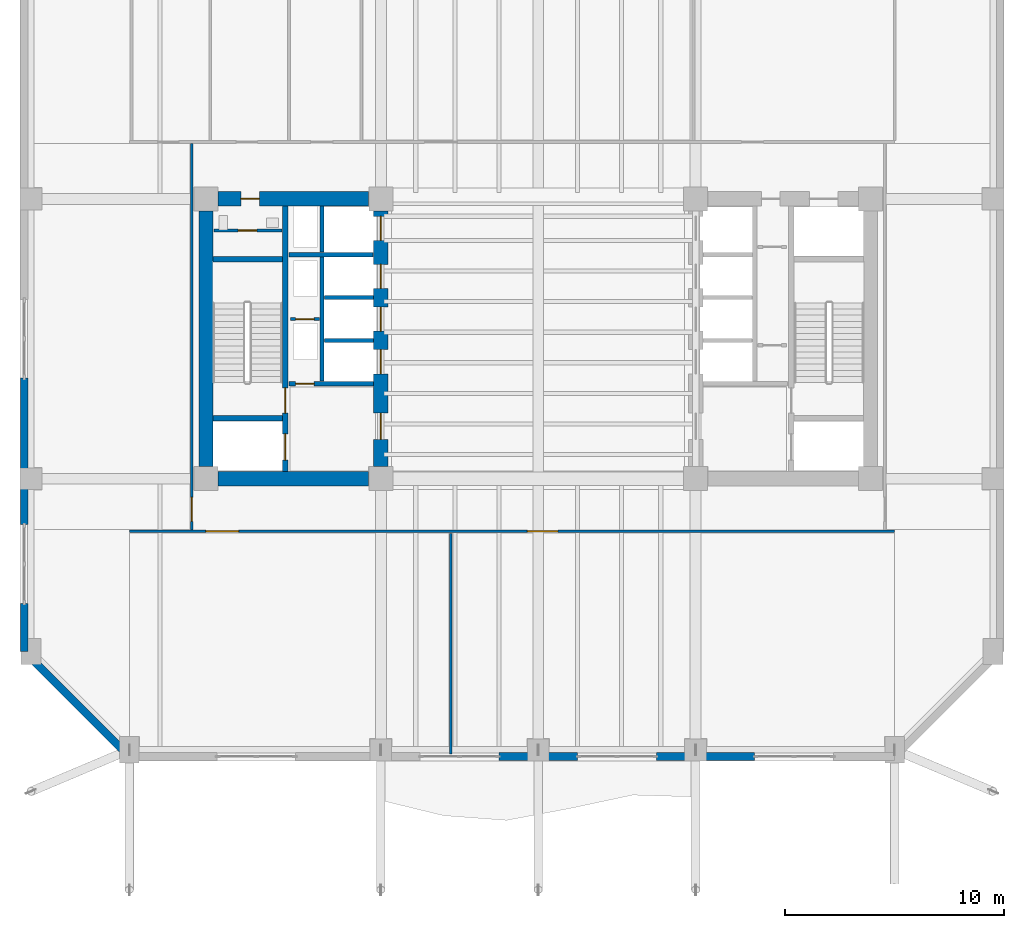
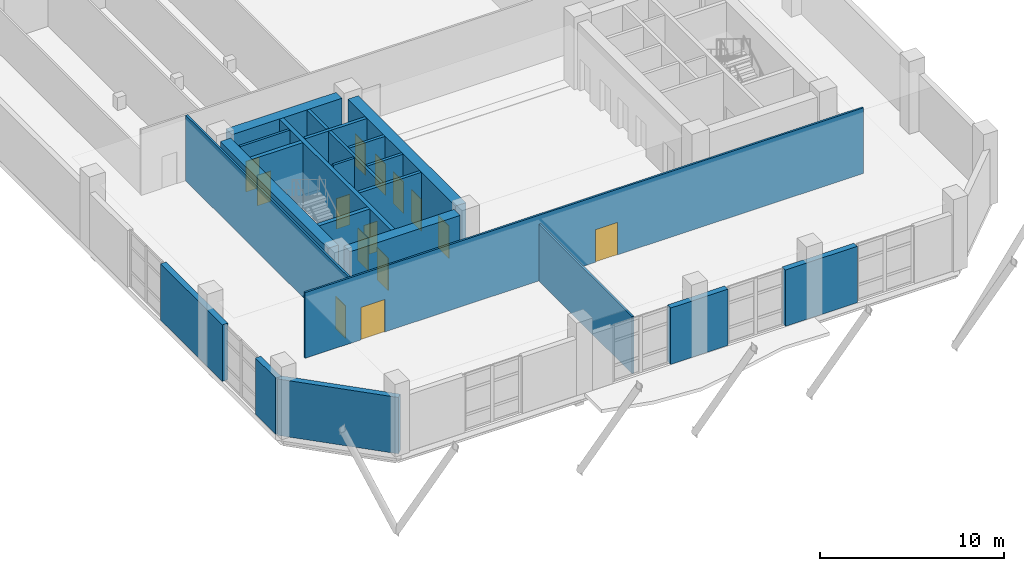
# One storey, part 9 of 16: 23 walls, 14 doors, 14 openings.
"""IFC4 building model written with IfcOpenShell, lengths in metres."""

from ifc_helpers import new_model, si_unit, direction, frame, frame_2d, origin, place, context, subcontext, project, spatial, rectangle, extrude, material, layer, layer_set, type_object, element, fill, save


model = new_model("IFC4")

# Units and contexts
model_context = context("Model", 3, precision=1e-05, world=origin(), true_north=direction((0.0, 1.0)))
body_context = subcontext(model_context, "Body", "Model", "MODEL_VIEW")
ifc_project = project(units=[si_unit("LENGTHUNIT", "METRE"), si_unit("AREAUNIT", "SQUARE_METRE"), si_unit("VOLUMEUNIT", "CUBIC_METRE"), si_unit("PLANEANGLEUNIT", "RADIAN"), si_unit("MASSUNIT", "GRAM", prefix="KILO")], contexts=[model_context])

# Site, building, storey
site_placement = place(None, origin())
site = spatial("IfcSite", under=ifc_project, at=site_placement, CompositionType="ELEMENT")
building_placement = place(site_placement, origin())
building = spatial("IfcBuilding", under=site, at=building_placement, Name="Kranthara Brick Stack", CompositionType="ELEMENT")
storey_placement = place(building_placement, frame((0.0, 0.0, 115.5)))
storey = spatial("IfcBuildingStorey", under=building, at=storey_placement, Name="L28", CompositionType="ELEMENT", Elevation=115.5)

# Walls
ifc_material_1 = material(Name="Kiln-fired clay brick masonry M15", Category="masonry")
ifc_layer_1 = layer(ifc_material_1, 0.35009765625)
ifc_layer_set_1 = layer_set([ifc_layer_1], Name="Kiln-fired clay brick masonry M15")
wall_type_1 = type_object("IfcWallType", Name="WL-BRK-SPND-350", PredefinedType="STANDARD", material=ifc_layer_set_1)
wall_1_placement = place(storey_placement, frame((37.89990234375, 8.094970703125, 0.0), z_axis=(0.0, 0.0, 1.0), x_axis=(-1.0, 0.0, 0.0)))
element("IfcWall", 1, at=wall_1_placement, inside=storey, type_object=wall_type_1, Name="L28 Exterior Brick Facade Wall SOUTH 2", PredefinedType="STANDARD", context=body_context, shape_type="SweptSolid", body=[
    extrude(rectangle(XDim=4.5, YDim=0.35009765625, at=frame_2d((2.25, 0.0))), origin(), (0.0, 0.0, 1.0), 3.735107421875),
])
wall_2_placement = place(storey_placement, frame((29.800048828125, 8.094970703125, 0.0), z_axis=(0.0, 0.0, 1.0), x_axis=(-1.0, 0.0, 0.0)))
element("IfcWall", 2, at=wall_2_placement, inside=storey, type_object=wall_type_1, Name="L28 Exterior Brick Facade Wall SOUTH 3", PredefinedType="STANDARD", context=body_context, shape_type="SweptSolid", body=[
    extrude(rectangle(XDim=3.60009765625, YDim=0.35009765625, at=frame_2d((1.800048828125, 0.0))), origin(), (0.0, 0.0, 1.0), 3.735107421875),
])
wall_3_placement = place(storey_placement, frame((9.300048828125, 8.094970703125, 0.0), z_axis=(0.0, 0.0, 1.0), x_axis=(-0.707106781187, 0.707106781187, 0.0)))
element("IfcWall", 3, at=wall_3_placement, inside=storey, type_object=wall_type_1, Name="L28 Exterior Brick Facade Wall SW 1", PredefinedType="STANDARD", context=body_context, shape_type="SweptSolid", body=[
    extrude(rectangle(XDim=6.795166015625, YDim=0.35009765625, at=frame_2d((3.3974609375, 0.0))), origin(), (0.0, 0.0, 1.0), 3.735107421875),
])
wall_4_placement = place(storey_placement, frame((4.4951171875, 12.89990234375, 0.0), z_axis=(0.0, 0.0, 1.0), x_axis=(0.0, 1.0, 0.0)))
element("IfcWall", 4, at=wall_4_placement, inside=storey, type_object=wall_type_1, Name="L28 Exterior Brick Facade Wall WEST 1", PredefinedType="STANDARD", context=body_context, shape_type="SweptSolid", body=[
    extrude(rectangle(XDim=2.2001953125, YDim=0.35009765625, at=frame_2d((1.10009765625, 0.0))), origin(), (0.0, 0.0, 1.0), 3.735107421875),
])
wall_5_placement = place(storey_placement, frame((4.4951171875, 18.699951171875, 0.0), z_axis=(0.0, 0.0, 1.0), x_axis=(0.0, 1.0, 0.0)))
element("IfcWall", 5, at=wall_5_placement, inside=storey, type_object=wall_type_1, Name="L28 Exterior Brick Facade Wall WEST 2", PredefinedType="STANDARD", context=body_context, shape_type="SweptSolid", body=[
    extrude(rectangle(XDim=6.699951171875, YDim=0.35009765625, at=frame_2d((3.35009765625, 0.0))), origin(), (0.0, 0.0, 1.0), 3.735107421875),
])

# Wall, openings, doors
ifc_material_2 = material(Name="Concrete C50/60", Category="concrete")
ifc_layer_2 = layer(ifc_material_2, 0.25)
ifc_layer_set_2 = layer_set([ifc_layer_2], Name="Concrete C50/60")
wall_type_2 = type_object("IfcWallType", Name="WL-CORE-250", PredefinedType="SHEAR", material=ifc_layer_set_2)
wall_6_placement = place(storey_placement, frame((16.43505859375, 21.135009765625, 0.0), z_axis=(0.0, 0.0, 1.0), x_axis=(0.0, 1.0, 0.0)))
wall_6 = element("IfcWall", 6, at=wall_6_placement, inside=storey, type_object=wall_type_2, Name="L28 West Core Stair Bearing Spine Wall", PredefinedType="SHEAR", context=body_context, shape_type="SweptSolid", body=[
    extrude(rectangle(XDim=12.1298828125, YDim=0.25, at=frame_2d((6.06494140625, 0.0))), origin(), (0.0, 0.0, 1.0), 4.35009765625),
])
opening_1_placement = place(wall_6_placement, frame((0.514892578125, 0.0, 0.0)))
opening_1 = element("IfcOpeningElement", 7, at=opening_1_placement, cuts=wall_6, Name="Opening LD01", PredefinedType="OPENING", context=body_context, shape_type="SweptSolid", body=[
    extrude(rectangle(XDim=1.199951171875, YDim=2.14990234375, at=frame_2d((0.60009765625, 1.074951171875))), frame((0.0, 0.135009765625, 0.0), z_axis=(0.0, -1.0, 0.0), x_axis=(1.0, 0.0, 0.0)), (0.0, 0.0, 1.0), 0.27001953125),
])
opening_2_placement = place(wall_6_placement, frame((2.6650390625, 0.0, 0.0)))
opening_2 = element("IfcOpeningElement", 8, at=opening_2_placement, cuts=wall_6, Name="Opening D05", PredefinedType="OPENING", context=body_context, shape_type="SweptSolid", body=[
    extrude(rectangle(XDim=1.14990234375, YDim=2.14990234375, at=frame_2d((0.574951171875, 1.074951171875))), frame((0.0, 0.135009765625, 0.0), z_axis=(0.0, -1.0, 0.0), x_axis=(1.0, 0.0, 0.0)), (0.0, 0.0, 1.0), 0.27001953125),
])
ifc_material_3 = material(Name="Stainless steel sliding landing door", Category="steel")
door_type_1 = type_object("IfcDoorType", Name="DR-LD-FF1200", OperationType="DOUBLE_DOOR_SLIDING", PredefinedType="DOOR", material=ifc_material_3)
door_1_placement = place(opening_1_placement, origin())
door_1 = element("IfcDoor", 9, at=door_1_placement, inside=storey, type_object=door_type_1, Name="L28 Firefighting Lift FF-01 Landing Door", OperationType="DOUBLE_DOOR_SLIDING", OverallHeight=2.14990234375, OverallWidth=1.199951171875, PredefinedType="DOOR", context=body_context, shape_type="SweptSolid", body=[
    extrude(rectangle(XDim=1.199951171875, YDim=2.14990234375, at=frame_2d((0.60009765625, 1.074951171875))), frame((0.0, 0.02490234375, 0.0), z_axis=(0.0, -1.0, 0.0), x_axis=(1.0, 0.0, 0.0)), (0.0, 0.0, 1.0), 0.050048828125),
])
fill(opening_1, door_1)
ifc_material_4 = material(Name="Solid-core hardwood timber leaf in steel frame", Category="steel")
door_type_2 = type_object("IfcDoorType", Name="DR-ST-1150", OperationType="NOTDEFINED", PredefinedType="DOOR", material=ifc_material_4)
door_2_placement = place(opening_2_placement, origin())
door_2 = element("IfcDoor", 10, at=door_2_placement, inside=storey, type_object=door_type_2, Name="L28 Exit Stair ST01 Door", OperationType="SINGLE_SWING_RIGHT", OverallHeight=2.14990234375, OverallWidth=1.14990234375, PredefinedType="DOOR", context=body_context, shape_type="SweptSolid", body=[
    extrude(rectangle(XDim=1.14990234375, YDim=2.14990234375, at=frame_2d((0.574951171875, 1.074951171875))), frame((0.0, 0.02490234375, 0.0), z_axis=(0.0, -1.0, 0.0), x_axis=(1.0, 0.0, 0.0)), (0.0, 0.0, 1.0), 0.050048828125),
])
fill(opening_2, door_2)

# Walls
for number, where, z_axis, x_axis, name in (
    (11, (13.135009765625, 23.570068359375, 0.0), (0.0, 0.0, 1.0), (1.0, 0.0, 0.0), "L28 West Stairwell Bearing Wall WFF"),
    (12, (13.135009765625, 30.830078125, 0.0), (0.0, 0.0, 1.0), (1.0, 0.0, 0.0), "L28 West Stairwell Bearing Wall WST"),
):
    element("IfcWall", number, at=place(storey_placement, frame(where, z_axis=z_axis, x_axis=x_axis)), inside=storey, type_object=wall_type_2, Name=name, PredefinedType="SHEAR", context=body_context, shape_type="SweptSolid", body=[
        extrude(rectangle(XDim=3.175048828125, YDim=0.25, at=frame_2d((1.58740234375, 0.0))), origin(), (0.0, 0.0, 1.0), 4.35009765625),
    ])
ifc_material_5 = material(Name="Concrete C60/75", Category="concrete")
ifc_layer_3 = layer(ifc_material_5, 0.64990234375)
ifc_layer_set_3 = layer_set([ifc_layer_3], Name="Concrete C60/75")
wall_type_3 = type_object("IfcWallType", Name="WL-CORE-650", PredefinedType="SHEAR", material=ifc_layer_set_3)
wall_7_placement = place(storey_placement, frame((12.800048828125, 21.35498046875, 0.0), z_axis=(0.0, 0.0, 1.0), x_axis=(0.0, 1.0, 0.0)))
element("IfcWall", 13, at=wall_7_placement, inside=storey, type_object=wall_type_3, Name="L28 West Core Shear Wall West", PredefinedType="SHEAR", context=body_context, shape_type="SweptSolid", body=[
    extrude(rectangle(XDim=11.68994140625, YDim=0.64990234375, at=frame_2d((5.844970703125, 0.0))), origin(), (0.0, 0.0, 1.0), 4.35009765625),
])
wall_8_placement = place(storey_placement, frame((13.35498046875, 20.800048828125, 0.0), z_axis=(0.0, 0.0, 1.0), x_axis=(1.0, 0.0, 0.0)))
element("IfcWall", 14, at=wall_8_placement, inside=storey, type_object=wall_type_3, Name="L28 West Core Shear Wall South", PredefinedType="SHEAR", context=body_context, shape_type="SweptSolid", body=[
    extrude(rectangle(XDim=6.89013671875, YDim=0.64990234375, at=frame_2d((3.445068359375, 0.0))), origin(), (0.0, 0.0, 1.0), 4.35009765625),
])

# Wall, opening, door
wall_9_placement = place(storey_placement, frame((13.35498046875, 33.60009765625, 0.0), z_axis=(0.0, 0.0, 1.0), x_axis=(1.0, 0.0, 0.0)))
wall_9 = element("IfcWall", 15, at=wall_9_placement, inside=storey, type_object=wall_type_3, Name="L28 West Core Shear Wall North", PredefinedType="SHEAR", context=body_context, shape_type="SweptSolid", body=[
    extrude(rectangle(XDim=6.89013671875, YDim=0.64990234375, at=frame_2d((3.445068359375, 0.0))), origin(), (0.0, 0.0, 1.0), 4.35009765625),
])
opening_3_placement = place(wall_9_placement, frame((1.044921875, 0.0, 0.0)))
opening_3 = element("IfcOpeningElement", 16, at=opening_3_placement, cuts=wall_9, Name="Opening D10", PredefinedType="OPENING", context=body_context, shape_type="SweptSolid", body=[
    extrude(rectangle(XDim=0.85009765625, YDim=2.02001953125, at=frame_2d((0.425048828125, 1.010009765625))), frame((0.0, 0.3349609375, 0.0), z_axis=(0.0, -1.0, 0.0), x_axis=(1.0, 0.0, 0.0)), (0.0, 0.0, 1.0), 0.669921875),
])
ifc_material_6 = material(Name="Solid-core hardwood timber leaf in steel frame", Category="steel")
door_type_3 = type_object("IfcDoorType", Name="DR-RSR-850", OperationType="NOTDEFINED", PredefinedType="DOOR", material=ifc_material_6)
door_3_placement = place(opening_3_placement, origin())
door_3 = element("IfcDoor", 17, at=door_3_placement, inside=storey, type_object=door_type_3, Name="L28 West Core Service Door 1", OperationType="SINGLE_SWING_LEFT", OverallHeight=2.02001953125, OverallWidth=0.85009765625, PredefinedType="DOOR", context=body_context, shape_type="SweptSolid", body=[
    extrude(rectangle(XDim=0.85009765625, YDim=2.02001953125, at=frame_2d((0.425048828125, 1.010009765625))), frame((0.0, 0.02490234375, 0.0), z_axis=(0.0, -1.0, 0.0), x_axis=(1.0, 0.0, 0.0)), (0.0, 0.0, 1.0), 0.050048828125),
])
fill(opening_3, door_3)

# Wall, openings, doors
wall_10_placement = place(storey_placement, frame((20.800048828125, 21.35498046875, 0.0), z_axis=(0.0, 0.0, 1.0), x_axis=(0.0, 1.0, 0.0)))
wall_10 = element("IfcWall", 18, at=wall_10_placement, inside=storey, type_object=wall_type_3, Name="L28 West Core Shear Wall East", PredefinedType="SHEAR", context=body_context, shape_type="SweptSolid", body=[
    extrude(rectangle(XDim=11.68994140625, YDim=0.64990234375, at=frame_2d((5.844970703125, 0.0))), origin(), (0.0, 0.0, 1.0), 4.35009765625),
])
opening_4_placement = place(wall_10_placement, frame((1.2451171875, 0.0, 0.0)))
opening_4 = element("IfcOpeningElement", 19, at=opening_4_placement, cuts=wall_10, Name="Opening D06", PredefinedType="OPENING", context=body_context, shape_type="SweptSolid", body=[
    extrude(rectangle(XDim=1.199951171875, YDim=2.14990234375, at=frame_2d((0.60009765625, 1.074951171875))), frame((0.0, 0.3349609375, 0.0), z_axis=(0.0, -1.0, 0.0), x_axis=(1.0, 0.0, 0.0)), (0.0, 0.0, 1.0), 0.669921875),
])
opening_5_placement = place(wall_10_placement, frame((4.2451171875, 0.0, 0.0)))
opening_5 = element("IfcOpeningElement", 20, at=opening_5_placement, cuts=wall_10, Name="Opening LD02", PredefinedType="OPENING", context=body_context, shape_type="SweptSolid", body=[
    extrude(rectangle(XDim=1.10009765625, YDim=2.10009765625, at=frame_2d((0.550048828125, 1.050048828125))), frame((0.0, 0.3349609375, 0.0), z_axis=(0.0, -1.0, 0.0), x_axis=(1.0, 0.0, 0.0)), (0.0, 0.0, 1.0), 0.669921875),
])
opening_6_placement = place(wall_10_placement, frame((6.195068359375, 0.0, 0.0)))
opening_6 = element("IfcOpeningElement", 21, at=opening_6_placement, cuts=wall_10, Name="Opening LD02", PredefinedType="OPENING", context=body_context, shape_type="SweptSolid", body=[
    extrude(rectangle(XDim=1.10009765625, YDim=2.10009765625, at=frame_2d((0.550048828125, 1.050048828125))), frame((0.0, 0.3349609375, 0.0), z_axis=(0.0, -1.0, 0.0), x_axis=(1.0, 0.0, 0.0)), (0.0, 0.0, 1.0), 0.669921875),
])
opening_7_placement = place(wall_10_placement, frame((8.14501953125, 0.0, 0.0)))
opening_7 = element("IfcOpeningElement", 22, at=opening_7_placement, cuts=wall_10, Name="Opening LD02", PredefinedType="OPENING", context=body_context, shape_type="SweptSolid", body=[
    extrude(rectangle(XDim=1.10009765625, YDim=2.10009765625, at=frame_2d((0.550048828125, 1.050048828125))), frame((0.0, 0.3349609375, 0.0), z_axis=(0.0, -1.0, 0.0), x_axis=(1.0, 0.0, 0.0)), (0.0, 0.0, 1.0), 0.669921875),
])
opening_8_placement = place(wall_10_placement, frame((10.344970703125, 0.0, 0.0)))
opening_8 = element("IfcOpeningElement", 23, at=opening_8_placement, cuts=wall_10, Name="Opening LD02", PredefinedType="OPENING", context=body_context, shape_type="SweptSolid", body=[
    extrude(rectangle(XDim=1.10009765625, YDim=2.10009765625, at=frame_2d((0.550048828125, 1.050048828125))), frame((0.0, 0.3349609375, 0.0), z_axis=(0.0, -1.0, 0.0), x_axis=(1.0, 0.0, 0.0)), (0.0, 0.0, 1.0), 0.669921875),
])
ifc_material_7 = material(Name="Solid-core hardwood timber leaf in steel frame", Category="steel")
door_type_4 = type_object("IfcDoorType", Name="DR-FFL-1200", OperationType="NOTDEFINED", PredefinedType="DOOR", material=ifc_material_7)
door_4_placement = place(opening_4_placement, origin())
door_4 = element("IfcDoor", 24, at=door_4_placement, inside=storey, type_object=door_type_4, Name="L28 West Firefighting Lobby Door", OperationType="SINGLE_SWING_LEFT", OverallHeight=2.14990234375, OverallWidth=1.199951171875, PredefinedType="DOOR", context=body_context, shape_type="SweptSolid", body=[
    extrude(rectangle(XDim=1.199951171875, YDim=2.14990234375, at=frame_2d((0.60009765625, 1.074951171875))), frame((0.0, 0.02490234375, 0.0), z_axis=(0.0, -1.0, 0.0), x_axis=(1.0, 0.0, 0.0)), (0.0, 0.0, 1.0), 0.050048828125),
])
fill(opening_4, door_4)
ifc_material_8 = material(Name="Stainless steel sliding landing door", Category="steel")
door_type_5 = type_object("IfcDoorType", Name="DR-LD-PL1100", OperationType="DOUBLE_DOOR_SLIDING", PredefinedType="DOOR", material=ifc_material_8)
door_5_placement = place(opening_5_placement, origin())
door_5 = element("IfcDoor", 25, at=door_5_placement, inside=storey, type_object=door_type_5, Name="L28 PL-01 Lift Landing Door", OperationType="DOUBLE_DOOR_SLIDING", OverallHeight=2.10009765625, OverallWidth=1.10009765625, PredefinedType="DOOR", context=body_context, shape_type="SweptSolid", body=[
    extrude(rectangle(XDim=1.10009765625, YDim=2.10009765625, at=frame_2d((0.550048828125, 1.050048828125))), frame((0.0, 0.02490234375, 0.0), z_axis=(0.0, -1.0, 0.0), x_axis=(1.0, 0.0, 0.0)), (0.0, 0.0, 1.0), 0.050048828125),
])
fill(opening_5, door_5)
door_6_placement = place(opening_6_placement, origin())
door_6 = element("IfcDoor", 26, at=door_6_placement, inside=storey, type_object=door_type_5, Name="L28 PL-02 Lift Landing Door", OperationType="DOUBLE_DOOR_SLIDING", OverallHeight=2.10009765625, OverallWidth=1.10009765625, PredefinedType="DOOR", context=body_context, shape_type="SweptSolid", body=[
    extrude(rectangle(XDim=1.10009765625, YDim=2.10009765625, at=frame_2d((0.550048828125, 1.050048828125))), frame((0.0, 0.02490234375, 0.0), z_axis=(0.0, -1.0, 0.0), x_axis=(1.0, 0.0, 0.0)), (0.0, 0.0, 1.0), 0.050048828125),
])
fill(opening_6, door_6)
door_7_placement = place(opening_7_placement, origin())
door_7 = element("IfcDoor", 27, at=door_7_placement, inside=storey, type_object=door_type_5, Name="L28 PL-03 Lift Landing Door", OperationType="DOUBLE_DOOR_SLIDING", OverallHeight=2.10009765625, OverallWidth=1.10009765625, PredefinedType="DOOR", context=body_context, shape_type="SweptSolid", body=[
    extrude(rectangle(XDim=1.10009765625, YDim=2.10009765625, at=frame_2d((0.550048828125, 1.050048828125))), frame((0.0, 0.02490234375, 0.0), z_axis=(0.0, -1.0, 0.0), x_axis=(1.0, 0.0, 0.0)), (0.0, 0.0, 1.0), 0.050048828125),
])
fill(opening_7, door_7)
door_8_placement = place(opening_8_placement, origin())
door_8 = element("IfcDoor", 28, at=door_8_placement, inside=storey, type_object=door_type_5, Name="L28 PL-07 Lift Landing Door", OperationType="DOUBLE_DOOR_SLIDING", OverallHeight=2.10009765625, OverallWidth=1.10009765625, PredefinedType="DOOR", context=body_context, shape_type="SweptSolid", body=[
    extrude(rectangle(XDim=1.10009765625, YDim=2.10009765625, at=frame_2d((0.550048828125, 1.050048828125))), frame((0.0, 0.02490234375, 0.0), z_axis=(0.0, -1.0, 0.0), x_axis=(1.0, 0.0, 0.0)), (0.0, 0.0, 1.0), 0.050048828125),
])
fill(opening_8, door_8)

ifc_material_9 = material(Name="Acoustic gypsum plasterboard partition", Category="other")
ifc_layer_4 = layer(ifc_material_9, 0.1201171875)
ifc_layer_set_4 = layer_set([ifc_layer_4], Name="Acoustic gypsum plasterboard partition")
wall_type_4 = type_object("IfcWallType", Name="WL-PART-120", PredefinedType="PARTITIONING", material=ifc_layer_set_4)
wall_11_placement = place(storey_placement, frame((9.300048828125, 18.39990234375, 0.0), z_axis=(0.0, 0.0, 1.0), x_axis=(1.0, 0.0, 0.0)))
wall_11 = element("IfcWall", 29, at=wall_11_placement, inside=storey, type_object=wall_type_4, Name="L28 Interior Partition 005", PredefinedType="PARTITIONING", context=body_context, shape_type="SweptSolid", body=[
    extrude(rectangle(XDim=35.0, YDim=0.1201171875, at=frame_2d((17.5, 0.0))), origin(), (0.0, 0.0, 1.0), 4.35009765625),
])
opening_9_placement = place(wall_11_placement, frame((3.5, 0.0, 0.0)))
opening_9 = element("IfcOpeningElement", 30, at=opening_9_placement, cuts=wall_11, Name="Opening D20", PredefinedType="OPENING", context=body_context, shape_type="SweptSolid", body=[
    extrude(rectangle(XDim=1.5, YDim=2.14990234375, at=frame_2d((0.75, 1.074951171875))), frame((0.0, 0.070068359375, 0.0), z_axis=(0.0, -1.0, 0.0), x_axis=(1.0, 0.0, 0.0)), (0.0, 0.0, 1.0), 0.14013671875),
])
opening_10_placement = place(wall_11_placement, frame((18.199951171875, 0.0, 0.0)))
opening_10 = element("IfcOpeningElement", 31, at=opening_10_placement, cuts=wall_11, Name="Opening D23", PredefinedType="OPENING", context=body_context, shape_type="SweptSolid", body=[
    extrude(rectangle(XDim=1.39990234375, YDim=2.14990234375, at=frame_2d((0.699951171875, 1.074951171875))), frame((0.0, 0.070068359375, 0.0), z_axis=(0.0, -1.0, 0.0), x_axis=(1.0, 0.0, 0.0)), (0.0, 0.0, 1.0), 0.14013671875),
])
ifc_material_10 = material(Name="Solid-core hardwood timber leaf in steel frame", Category="steel")
door_type_6 = type_object("IfcDoorType", Name="DR-DBL-1400U", OperationType="DOUBLE_DOOR_SINGLE_SWING", PredefinedType="DOOR", material=ifc_material_10)
door_9_placement = place(opening_10_placement, origin())
door_9 = element("IfcDoor", 32, at=door_9_placement, inside=storey, type_object=door_type_6, Name="L28 Sky Lounge Door 06", OperationType="DOUBLE_DOOR_SINGLE_SWING", OverallHeight=2.14990234375, OverallWidth=1.39990234375, PredefinedType="DOOR", context=body_context, shape_type="SweptSolid", body=[
    extrude(rectangle(XDim=1.39990234375, YDim=2.14990234375, at=frame_2d((0.699951171875, 1.074951171875))), frame((0.0, 0.02490234375, 0.0), z_axis=(0.0, -1.0, 0.0), x_axis=(1.0, 0.0, 0.0)), (0.0, 0.0, 1.0), 0.050048828125),
])
fill(opening_10, door_9)
ifc_material_11 = material(Name="Solid-core hardwood timber leaf in steel frame", Category="steel")
door_type_7 = type_object("IfcDoorType", Name="DR-DBL-1500", OperationType="DOUBLE_DOOR_SINGLE_SWING", PredefinedType="DOOR", material=ifc_material_11)
door_10_placement = place(opening_9_placement, origin())
door_10 = element("IfcDoor", 33, at=door_10_placement, inside=storey, type_object=door_type_7, Name="L28 Sky Brasserie Door 05", OperationType="DOUBLE_DOOR_SINGLE_SWING", OverallHeight=2.14990234375, OverallWidth=1.5, PredefinedType="DOOR", context=body_context, shape_type="SweptSolid", body=[
    extrude(rectangle(XDim=1.5, YDim=2.14990234375, at=frame_2d((0.75, 1.074951171875))), frame((0.0, 0.02490234375, 0.0), z_axis=(0.0, -1.0, 0.0), x_axis=(1.0, 0.0, 0.0)), (0.0, 0.0, 1.0), 0.050048828125),
])
fill(opening_9, door_10)

# Wall
wall_12_placement = place(storey_placement, frame((24.0, 8.2099609375, 0.0), z_axis=(0.0, 0.0, 1.0), x_axis=(0.0, 1.0, 0.0)))
element("IfcWall", 34, at=wall_12_placement, inside=storey, type_object=wall_type_4, Name="L28 Interior Partition 007", PredefinedType="PARTITIONING", context=body_context, shape_type="SweptSolid", body=[
    extrude(rectangle(XDim=10.090087890625, YDim=0.1201171875, at=frame_2d((5.044921875, 0.0))), origin(), (0.0, 0.0, 1.0), 3.784912109375),
])

# Wall, opening, door
wall_13_placement = place(storey_placement, frame((12.14990234375, 18.465087890625, 0.0), z_axis=(0.0, 0.0, 1.0), x_axis=(0.0, 1.0, 0.0)))
wall_13 = element("IfcWall", 35, at=wall_13_placement, inside=storey, type_object=wall_type_4, Name="L28 Interior Partition 014", PredefinedType="PARTITIONING", context=body_context, shape_type="SweptSolid", body=[
    extrude(rectangle(XDim=17.669921875, YDim=0.1201171875, at=frame_2d((8.8349609375, 0.0))), origin(), (0.0, 0.0, 1.0), 4.35009765625),
])
opening_11_placement = place(wall_13_placement, frame((0.385009765625, 0.0, 0.0)))
opening_11 = element("IfcOpeningElement", 36, at=opening_11_placement, cuts=wall_13, Name="Opening D11", PredefinedType="OPENING", context=body_context, shape_type="SweptSolid", body=[
    extrude(rectangle(XDim=1.10009765625, YDim=2.14990234375, at=frame_2d((0.550048828125, 1.074951171875))), frame((0.0, 0.070068359375, 0.0), z_axis=(0.0, -1.0, 0.0), x_axis=(1.0, 0.0, 0.0)), (0.0, 0.0, 1.0), 0.14013671875),
])
ifc_material_12 = material(Name="Solid-core hardwood timber leaf in steel frame", Category="steel")
door_type_8 = type_object("IfcDoorType", Name="DR-INT-1100", OperationType="NOTDEFINED", PredefinedType="DOOR", material=ifc_material_12)
door_11_placement = place(opening_11_placement, origin())
door_11 = element("IfcDoor", 37, at=door_11_placement, inside=storey, type_object=door_type_8, Name="L28 West Concierge Door 12", OperationType="SINGLE_SWING_RIGHT", OverallHeight=2.14990234375, OverallWidth=1.10009765625, PredefinedType="DOOR", context=body_context, shape_type="SweptSolid", body=[
    extrude(rectangle(XDim=1.10009765625, YDim=2.14990234375, at=frame_2d((0.550048828125, 1.074951171875))), frame((0.0, 0.02490234375, 0.0), z_axis=(0.0, -1.0, 0.0), x_axis=(1.0, 0.0, 0.0)), (0.0, 0.0, 1.0), 0.050048828125),
])
fill(opening_11, door_11)

ifc_material_13 = material(Name="Fire-rated gypsum board partition", Category="other")
ifc_layer_5 = layer(ifc_material_13, 0.14990234375)
ifc_layer_set_5 = layer_set([ifc_layer_5], Name="Fire-rated gypsum board partition")
wall_type_5 = type_object("IfcWallType", Name="WL-PART-150", PredefinedType="PARTITIONING", material=ifc_layer_set_5)
wall_14_placement = place(storey_placement, frame((13.179931640625, 32.14990234375, 0.0), z_axis=(0.0, 0.0, 1.0), x_axis=(1.0, 0.0, 0.0)))
wall_14 = element("IfcWall", 38, at=wall_14_placement, inside=storey, type_object=wall_type_5, Name="L28 Interior Partition 001", PredefinedType="PARTITIONING", context=body_context, shape_type="SweptSolid", body=[
    extrude(rectangle(XDim=3.10009765625, YDim=0.14990234375, at=frame_2d((1.550048828125, 0.0))), origin(), (0.0, 0.0, 1.0), 4.35009765625),
])
opening_12_placement = place(wall_14_placement, frame((1.10009765625, 0.0, 0.0)))
opening_12 = element("IfcOpeningElement", 39, at=opening_12_placement, cuts=wall_14, Name="Opening D10", PredefinedType="OPENING", context=body_context, shape_type="SweptSolid", body=[
    extrude(rectangle(XDim=0.85009765625, YDim=2.02001953125, at=frame_2d((0.425048828125, 1.010009765625))), frame((0.0, 0.0849609375, 0.0), z_axis=(0.0, -1.0, 0.0), x_axis=(1.0, 0.0, 0.0)), (0.0, 0.0, 1.0), 0.169921875),
])
door_12_placement = place(opening_12_placement, origin())
door_12 = element("IfcDoor", 40, at=door_12_placement, inside=storey, type_object=door_type_3, Name="L28 West Inner Riser Door 01", OperationType="SINGLE_SWING_LEFT", OverallHeight=2.02001953125, OverallWidth=0.85009765625, PredefinedType="DOOR", context=body_context, shape_type="SweptSolid", body=[
    extrude(rectangle(XDim=0.85009765625, YDim=2.02001953125, at=frame_2d((0.425048828125, 1.010009765625))), frame((0.0, 0.02490234375, 0.0), z_axis=(0.0, -1.0, 0.0), x_axis=(1.0, 0.0, 0.0)), (0.0, 0.0, 1.0), 0.050048828125),
])
fill(opening_12, door_12)

wall_15_placement = place(storey_placement, frame((16.679931640625, 28.10009765625, 0.0), z_axis=(0.0, 0.0, 1.0), x_axis=(1.0, 0.0, 0.0)))
wall_15 = element("IfcWall", 41, at=wall_15_placement, inside=storey, type_object=wall_type_5, Name="L28 Interior Partition 004", PredefinedType="PARTITIONING", context=body_context, shape_type="SweptSolid", body=[
    extrude(rectangle(XDim=1.320068359375, YDim=0.14990234375, at=frame_2d((0.66015625, 0.0))), origin(), (0.0, 0.0, 1.0), 4.35009765625),
])
opening_13_placement = place(wall_15_placement, frame((0.219970703125, 0.0, 0.0)))
opening_13 = element("IfcOpeningElement", 42, at=opening_13_placement, cuts=wall_15, Name="Opening D10", PredefinedType="OPENING", context=body_context, shape_type="SweptSolid", body=[
    extrude(rectangle(XDim=0.85009765625, YDim=2.02001953125, at=frame_2d((0.425048828125, 1.010009765625))), frame((0.0, 0.0849609375, 0.0), z_axis=(0.0, -1.0, 0.0), x_axis=(1.0, 0.0, 0.0)), (0.0, 0.0, 1.0), 0.169921875),
])
door_13_placement = place(opening_13_placement, origin())
door_13 = element("IfcDoor", 43, at=door_13_placement, inside=storey, type_object=door_type_3, Name="L28 Riser Split Door 04", OperationType="SINGLE_SWING_RIGHT", OverallHeight=2.02001953125, OverallWidth=0.85009765625, PredefinedType="DOOR", context=body_context, shape_type="SweptSolid", body=[
    extrude(rectangle(XDim=0.85009765625, YDim=2.02001953125, at=frame_2d((0.425048828125, 1.010009765625))), frame((0.0, 0.02490234375, 0.0), z_axis=(0.0, -1.0, 0.0), x_axis=(1.0, 0.0, 0.0)), (0.0, 0.0, 1.0), 0.050048828125),
])
fill(opening_13, door_13)

# Walls
ifc_material_14 = material(Name="Gypsum plasterboard on acoustic twin stud", Category="other")
ifc_layer_6 = layer(ifc_material_14, 0.179931640625)
ifc_layer_set_6 = layer_set([ifc_layer_6], Name="Gypsum plasterboard on acoustic twin stud")
wall_type_6 = type_object("IfcWallType", Name="WL-PART-180", PredefinedType="PARTITIONING", material=ifc_layer_set_6)
wall_16_placement = place(storey_placement, frame((18.1201171875, 25.27001953125, 0.0), z_axis=(0.0, 0.0, 1.0), x_axis=(0.0, 1.0, 0.0)))
element("IfcWall", 44, at=wall_16_placement, inside=storey, type_object=wall_type_6, Name="L28 West Hoistway Wall WBK", PredefinedType="PARTITIONING", context=body_context, shape_type="SweptSolid", body=[
    extrude(rectangle(XDim=5.659912109375, YDim=0.179931640625, at=frame_2d((2.830078125, 0.0))), origin(), (0.0, 0.0, 1.0), 4.35009765625),
])
wall_17_placement = place(storey_placement, frame((18.1201171875, 31.169921875, 0.0), z_axis=(0.0, 0.0, 1.0), x_axis=(0.0, 1.0, 0.0)))
element("IfcWall", 45, at=wall_17_placement, inside=storey, type_object=wall_type_6, Name="L28 West Hoistway Wall WBK7", PredefinedType="PARTITIONING", context=body_context, shape_type="SweptSolid", body=[
    extrude(rectangle(XDim=2.094970703125, YDim=0.179931640625, at=frame_2d((1.04736328125, 0.0))), origin(), (0.0, 0.0, 1.0), 4.35009765625),
])
for number, where, z_axis, x_axis, name in (
    (46, (18.219970703125, 27.1201171875, 0.0), (0.0, 0.0, 1.0), (1.0, 0.0, 0.0), "L28 West Hoistway Wall WH1"),
    (47, (18.219970703125, 29.080078125, 0.0), (0.0, 0.0, 1.0), (1.0, 0.0, 0.0), "L28 West Hoistway Wall WH2"),
):
    element("IfcWall", number, at=place(storey_placement, frame(where, z_axis=z_axis, x_axis=x_axis)), inside=storey, type_object=wall_type_6, Name=name, PredefinedType="PARTITIONING", context=body_context, shape_type="SweptSolid", body=[
        extrude(rectangle(XDim=2.2451171875, YDim=0.179931640625, at=frame_2d((1.12255859375, 0.0))), origin(), (0.0, 0.0, 1.0), 4.35009765625),
    ])

# Wall, opening, door
ifc_material_15 = material(Name="Concrete C40/50", Category="concrete")
ifc_layer_7 = layer(ifc_material_15, 0.199951171875)
ifc_layer_set_7 = layer_set([ifc_layer_7], Name="Concrete C40/50")
wall_type_7 = type_object("IfcWallType", Name="WL-PART-200", PredefinedType="SOLIDWALL", material=ifc_layer_set_7)
wall_18_placement = place(storey_placement, frame((16.60009765625, 25.14990234375, 0.0), z_axis=(0.0, 0.0, 1.0), x_axis=(1.0, 0.0, 0.0)))
wall_18 = element("IfcWall", 48, at=wall_18_placement, inside=storey, type_object=wall_type_7, Name="L28 West Core Cross Wall WFL", PredefinedType="SOLIDWALL", context=body_context, shape_type="SweptSolid", body=[
    extrude(rectangle(XDim=3.864990234375, YDim=0.199951171875, at=frame_2d((1.9326171875, 0.0))), origin(), (0.0, 0.0, 1.0), 4.35009765625),
])
opening_14_placement = place(wall_18_placement, frame((0.300048828125, 0.0, 0.0)))
opening_14 = element("IfcOpeningElement", 49, at=opening_14_placement, cuts=wall_18, Name="Opening D10", PredefinedType="OPENING", context=body_context, shape_type="SweptSolid", body=[
    extrude(rectangle(XDim=0.85009765625, YDim=2.02001953125, at=frame_2d((0.425048828125, 1.010009765625))), frame((0.0, 0.10986328125, 0.0), z_axis=(0.0, -1.0, 0.0), x_axis=(1.0, 0.0, 0.0)), (0.0, 0.0, 1.0), 0.219970703125),
])
door_14_placement = place(opening_14_placement, origin())
door_14 = element("IfcDoor", 50, at=door_14_placement, inside=storey, type_object=door_type_3, Name="L28 Mechanical Riser Access Door", OperationType="SINGLE_SWING_LEFT", OverallHeight=2.02001953125, OverallWidth=0.85009765625, PredefinedType="DOOR", context=body_context, shape_type="SweptSolid", body=[
    extrude(rectangle(XDim=0.85009765625, YDim=2.02001953125, at=frame_2d((0.425048828125, 1.010009765625))), frame((0.0, 0.02490234375, 0.0), z_axis=(0.0, -1.0, 0.0), x_axis=(1.0, 0.0, 0.0)), (0.0, 0.0, 1.0), 0.050048828125),
])
fill(opening_14, door_14)

# Wall
wall_19_placement = place(storey_placement, frame((16.60009765625, 31.050048828125, 0.0), z_axis=(0.0, 0.0, 1.0), x_axis=(1.0, 0.0, 0.0)))
element("IfcWall", 51, at=wall_19_placement, inside=storey, type_object=wall_type_7, Name="L28 West Core Cross Wall WH4", PredefinedType="SOLIDWALL", context=body_context, shape_type="SweptSolid", body=[
    extrude(rectangle(XDim=3.849853515625, YDim=0.199951171875, at=frame_2d((1.9248046875, 0.0))), origin(), (0.0, 0.0, 1.0), 4.35009765625),
])

save(model, "model.ifc")
